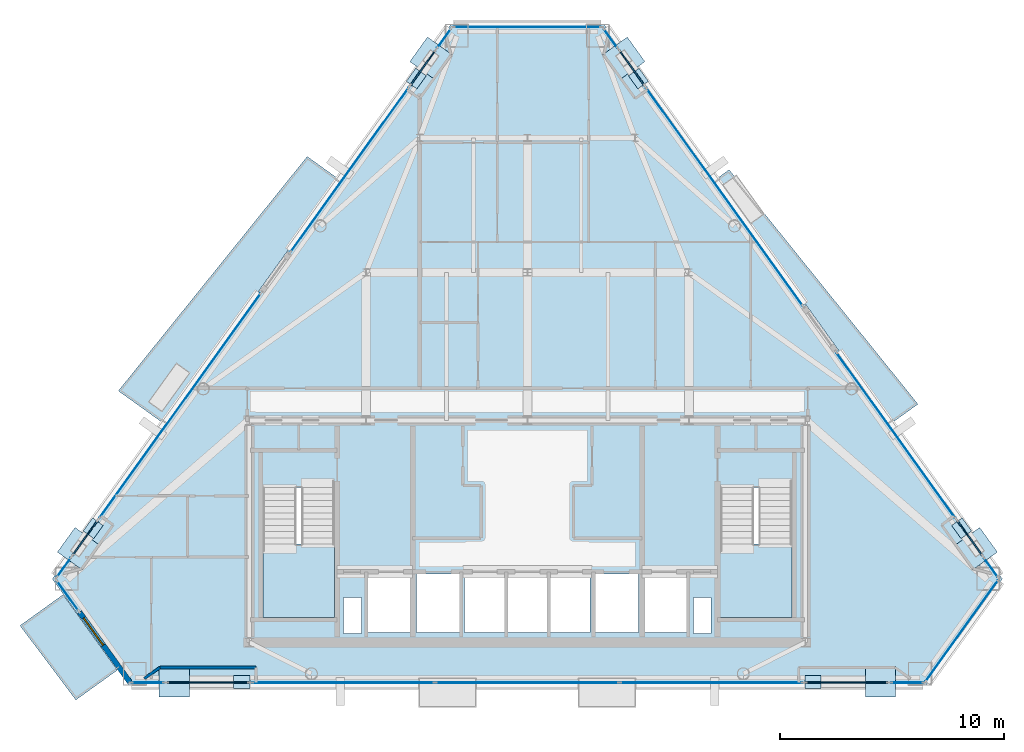
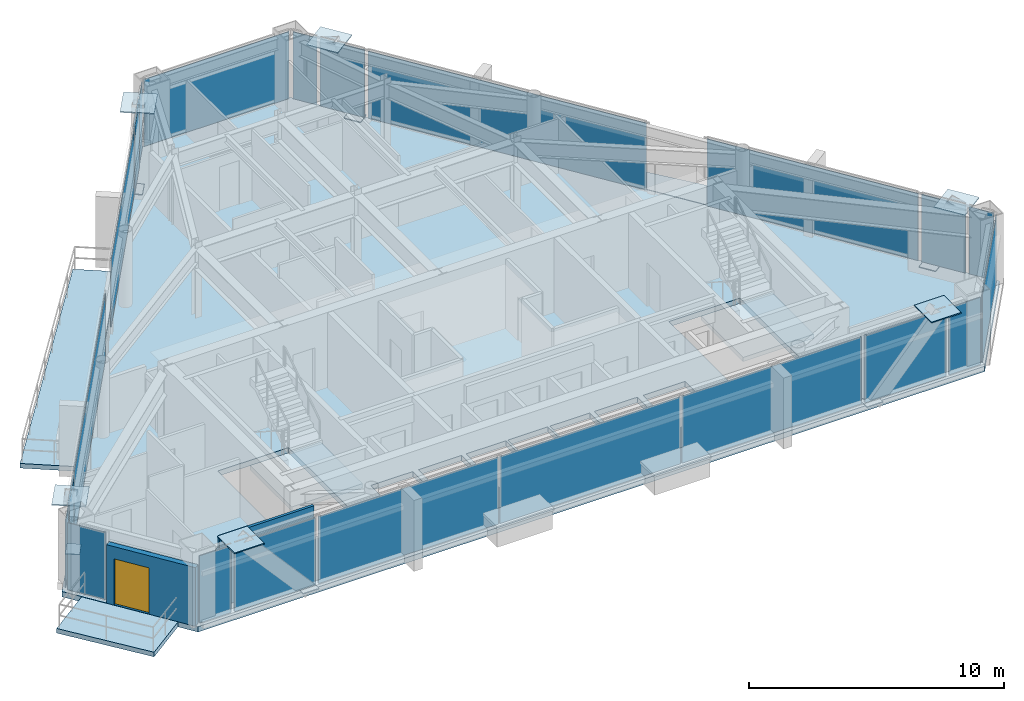
# One storey, part 6 of 11: 34 plates, 6 slabs, 3 walls, 1 door, 1 opening, 22 elements without a shape of their own.
"""IFC4 building model written with IfcOpenShell, lengths in metres."""

from ifc_helpers import new_model, si_unit, direction, frame, frame_2d, origin, origin_2d, place, context, subcontext, project, spatial, polyline, rectangle, outline, extrude, source, transform, mapped, material, layer, layer_set, type_object, type_shapes, element, fill, aggregate, save


model = new_model("IFC4")

# Units and contexts
model_context = context("Model", 3, precision=1e-05, world=origin(), true_north=direction((0.0, 1.0)))
body_context = subcontext(model_context, "Body", "Model", "MODEL_VIEW")
ifc_project = project(units=[si_unit("LENGTHUNIT", "METRE"), si_unit("AREAUNIT", "SQUARE_METRE"), si_unit("VOLUMEUNIT", "CUBIC_METRE"), si_unit("PLANEANGLEUNIT", "RADIAN"), si_unit("MASSUNIT", "GRAM", prefix="KILO")], contexts=[model_context])

# Site, building, storey
site_placement = place(None, origin())
site = spatial("IfcSite", under=ifc_project, at=site_placement, CompositionType="ELEMENT")
building_placement = place(site_placement, origin())
building = spatial("IfcBuilding", under=site, at=building_placement, Name="Talgorran Terracotta Tower", CompositionType="ELEMENT")
storey_placement = place(building_placement, frame((0.0, 0.0, 203.699951171875)))
storey = spatial("IfcBuildingStorey", under=building, at=storey_placement, Name="L53", CompositionType="ELEMENT", Elevation=203.699951171875)

# Plates
ifc_material_1 = material(Name="Steel Grade 350 (350L0)", Category="steel")
ifc_layer_1 = layer(ifc_material_1, 0.031982421875, Name="PL_CAP_MN07")
ifc_layer_set_1 = layer_set([ifc_layer_1], Name="Steel Grade 350 (350L0)")
plate_type_1 = type_object("IfcPlateType", Name="PL_CAP_MN07", PredefinedType="USERDEFINED", material=ifc_layer_set_1)
for number, where, z_axis, x_axis, name in (
    (1, (-12.740478515625, -15.856689453125, -0.005859375), (0.0, 0.0, 1.0), (-1.0, 0.0, 0.0), "L53 Diagonal Frame End Cap SWF Bot"),
    (2, (12.740478515625, -15.856689453125, -0.005859375), (0.0, 0.0, 1.0), (1.0, 0.0, 0.0), "L53 Diagonal Frame End Cap SEF Bot"),
    (3, (19.36669921875, -9.00830078125, -0.005859375), (0.0, 0.0, 1.0), (0.583541211356, -0.812083526892, 0.0), "L53 Diagonal Frame End Cap NEL Bot"),
    (4, (4.9541015625, 11.04833984375, -0.005859375), (0.0, 0.0, 1.0), (-0.583682937781, 0.811981667369, 0.0), "L53 Diagonal Frame End Cap NEU Bot"),
    (5, (-4.9541015625, 11.04833984375, -0.005859375), (0.0, 0.0, 1.0), (0.583682937781, 0.811981667369, 0.0), "L53 Diagonal Frame End Cap NWU Bot"),
    (6, (-19.36669921875, -9.00830078125, -0.005859375), (0.0, 0.0, 1.0), (-0.583682937781, -0.811981667369, 0.0), "L53 Diagonal Frame End Cap NWL Bot"),
):
    element("IfcPlate", number, at=place(storey_placement, frame(where, z_axis=z_axis, x_axis=x_axis)), inside=storey, type_object=plate_type_1, Name=name, ObjectType="CAP PLATE", PredefinedType="USERDEFINED", context=body_context, shape_type="SweptSolid", body=[
        extrude(rectangle(XDim=0.719970703125, YDim=0.580078125, at=origin_2d()), origin(), (0.0, 0.0, 1.0), 0.031982421875),
    ])
ifc_layer_2 = layer(ifc_material_1, 0.050048828125, Name="PL_NODE_MN03")
ifc_layer_set_2 = layer_set([ifc_layer_2], Name="Steel Grade 350 (350L0)")
plate_type_2 = type_object("IfcPlateType", Name="PL_NODE_MN03", PredefinedType="USERDEFINED", material=ifc_layer_set_2)
for number, where, z_axis, x_axis, name in (
    (7, (-15.748779296875, -15.856689453125, 3.31005859375), (0.0, 0.0, 1.0), (-1.0, 0.0, 0.0), "L53 Diagonal Frame End Cap SWF Top"),
    (8, (15.748779296875, -15.856689453125, 3.31005859375), (0.0, 0.0, 1.0), (1.0, 0.0, 0.0), "L53 Diagonal Frame End Cap SEF Top"),
    (9, (20.020263671875, -9.917724609375, 3.31005859375), (0.0, 0.0, 1.0), (0.583541211356, -0.812083526892, 0.0), "L53 Diagonal Frame End Cap NEL Top"),
    (10, (4.300537109375, 11.957763671875, 3.31005859375), (0.0, 0.0, 1.0), (-0.583682937781, 0.811981667369, 0.0), "L53 Diagonal Frame End Cap NEU Top"),
    (11, (-4.300537109375, 11.957763671875, 3.31005859375), (0.0, 0.0, 1.0), (0.583682937781, 0.811981667369, 0.0), "L53 Diagonal Frame End Cap NWU Top"),
    (12, (-20.020263671875, -9.917724609375, 3.31005859375), (0.0, 0.0, 1.0), (-0.583682937781, -0.811981667369, 0.0), "L53 Diagonal Frame End Cap NWL Top"),
):
    element("IfcPlate", number, at=place(storey_placement, frame(where, z_axis=z_axis, x_axis=x_axis)), inside=storey, type_object=plate_type_2, Name=name, ObjectType="NODE PLATE", PredefinedType="USERDEFINED", context=body_context, shape_type="SweptSolid", body=[
        extrude(rectangle(XDim=1.35009765625, YDim=1.35009765625, at=origin_2d()), origin(), (0.0, 0.0, 1.0), 0.050048828125),
    ])

# Slabs
ifc_material_2 = material(Name="Concrete C40/50", Category="concrete")
ifc_layer_3 = layer(ifc_material_2, 0.219970703125, Name="SL_BALCONY_220")
ifc_layer_set_3 = layer_set([ifc_layer_3], Name="Concrete C40/50")
slab_type_1 = type_object("IfcSlabType", Name="SL_BALCONY_220", PredefinedType="FLOOR", material=ifc_layer_set_3)
slab_1_placement = place(storey_placement, frame((0.0, 0.0, -0.219970703125)))
element("IfcSlab", 13, at=slab_1_placement, inside=storey, type_object=slab_type_1, Name="L53 Outdoor Wave Balcony BAL-NE", PredefinedType="FLOOR", context=body_context, shape_type="SweptSolid", body=[
    extrude(outline(polyline([(8.401123046875, 6.55126953125), (16.22314453125, -4.333740234375), (17.42041015625, -3.473388671875), (8.9970703125, 6.9794921875), (8.401123046875, 6.55126953125)])), origin(), (0.0, 0.0, 1.0), 0.219970703125),
])
slab_2_placement = place(storey_placement, frame((0.0, 0.0, -0.219970703125)))
element("IfcSlab", 14, at=slab_2_placement, inside=storey, type_object=slab_type_1, Name="L53 Outdoor Wave Balcony BAL-NW", PredefinedType="FLOOR", context=body_context, shape_type="SweptSolid", body=[
    extrude(outline(polyline([(-16.22314453125, -4.333740234375), (-8.401123046875, 6.551513671875), (-9.81884765625, 7.570068359375), (-18.2421875, -2.883056640625), (-16.22314453125, -4.333740234375)])), origin(), (0.0, 0.0, 1.0), 0.219970703125),
])
slab_3_placement = place(storey_placement, frame((0.0, 0.0, -0.219970703125)))
element("IfcSlab", 15, at=slab_3_placement, inside=storey, type_object=slab_type_1, Name="L53 Outdoor Wave Balcony BAL-SW", PredefinedType="FLOOR", context=body_context, shape_type="SweptSolid", body=[
    extrude(outline(polyline([(-18.28564453125, -15.335205078125), (-20.704833984375, -11.968505859375), (-22.629150390625, -13.351318359375), (-20.137939453125, -16.66650390625), (-18.28564453125, -15.335205078125)])), origin(), (0.0, 0.0, 1.0), 0.219970703125),
])

# Stair, slab
stair_type = type_object("IfcStairType", Name="ST_FIRE_SCISSOR", PredefinedType="HALF_TURN_STAIR", material=ifc_material_2)
stair_1_placement = place(storey_placement, origin())
stair_1 = element("IfcStair", 16, at=stair_1_placement, inside=storey, type_object=stair_type, Name="L53 West Protected Fire Stair ST-01", PredefinedType="HALF_TURN_STAIR")
ifc_layer_4 = layer(ifc_material_2, 0.199951171875, Name="SL_LANDING_200")
ifc_layer_set_4 = layer_set([ifc_layer_4], Name="Concrete C40/50")
slab_type_2 = type_object("IfcSlabType", Name="SL_LANDING_200", PredefinedType="LANDING", material=ifc_layer_set_4)
slab_4_placement = place(storey_placement, frame((0.0, 0.0, 1.60009765625)))
slab_4 = element("IfcSlab", 17, at=slab_4_placement, type_object=slab_type_2, Name="ST-01 landing 1", PredefinedType="LANDING", context=body_context, shape_type="SweptSolid", body=[
    extrude(outline(polyline([(-11.800048828125, -9.719970703125), (-11.800048828125, -13.0), (-8.60009765625, -13.0), (-8.60009765625, -9.719970703125), (-11.800048828125, -9.719970703125)])), origin(), (0.0, 0.0, 1.0), 0.199951171875),
])
aggregate(stair_1, [slab_4])

stair_2_placement = place(storey_placement, origin())
stair_2 = element("IfcStair", 18, at=stair_2_placement, inside=storey, type_object=stair_type, Name="L53 East Protected Fire Stair ST-02", PredefinedType="HALF_TURN_STAIR")
slab_5_placement = place(storey_placement, frame((0.0, 0.0, 1.60009765625)))
slab_5 = element("IfcSlab", 19, at=slab_5_placement, type_object=slab_type_2, Name="ST-02 landing 1", PredefinedType="LANDING", context=body_context, shape_type="SweptSolid", body=[
    extrude(outline(polyline([(8.60009765625, -9.719970703125), (8.60009765625, -13.0), (11.800048828125, -13.0), (11.800048828125, -9.719970703125), (8.60009765625, -9.719970703125)])), origin(), (0.0, 0.0, 1.0), 0.199951171875),
])
aggregate(stair_2, [slab_5])

# Slab
ifc_layer_5 = layer(ifc_material_2, 0.2548828125, Name="SL_TOWER_235")
ifc_layer_set_5 = layer_set([ifc_layer_5], Name="Concrete C40/50")
slab_type_3 = type_object("IfcSlabType", Name="SL_TOWER_235", PredefinedType="FLOOR", material=ifc_layer_set_5)
slab_6_placement = place(storey_placement, frame((0.0, 0.0, -0.2548828125)))
element("IfcSlab", 20, at=slab_6_placement, inside=storey, type_object=slab_type_3, Name="Storey L53 Structural Floor Slab", PredefinedType="FLOOR", context=body_context, shape_type="SweptSolid", body=[
    extrude(outline(polyline([(-21.188720703125, -11.26953125), (-17.77734375, -16.0166015625), (17.77734375, -16.0166015625), (21.188720703125, -11.26953125), (3.411376953125, 13.469482421875), (-3.411376953125, 13.469482421875), (-21.188720703125, -11.26953125)]), holes=[polyline([(-11.800048828125, -7.199951171875), (-11.800048828125, -13.0), (-8.60009765625, -13.0), (-8.60009765625, -7.199951171875), (-11.800048828125, -7.199951171875)]), polyline([(8.60009765625, -7.199951171875), (8.60009765625, -13.0), (11.800048828125, -13.0), (11.800048828125, -7.199951171875), (8.60009765625, -7.199951171875)]), polyline([(-7.10009765625, -13.64990234375), (-5.199951171875, -13.64990234375), (-5.199951171875, -11.050048828125), (-7.10009765625, -11.050048828125), (-7.10009765625, -13.64990234375)]), polyline([(5.199951171875, -13.64990234375), (7.10009765625, -13.64990234375), (7.10009765625, -11.050048828125), (5.199951171875, -11.050048828125), (5.199951171875, -13.64990234375)]), polyline([(3.0, -13.64990234375), (4.949951171875, -13.64990234375), (4.949951171875, -11.050048828125), (3.0, -11.050048828125), (3.0, -13.64990234375)]), polyline([(-4.949951171875, -13.64990234375), (-3.0, -13.64990234375), (-3.0, -11.050048828125), (-4.949951171875, -11.050048828125), (-4.949951171875, -13.64990234375)]), polyline([(-2.800048828125, -13.64990234375), (-1.0, -13.64990234375), (-1.0, -11.050048828125), (-2.800048828125, -11.050048828125), (-2.800048828125, -13.64990234375)]), polyline([(-0.89990234375, -13.64990234375), (0.89990234375, -13.64990234375), (0.89990234375, -11.050048828125), (-0.89990234375, -11.050048828125), (-0.89990234375, -13.64990234375)]), polyline([(1.0, -13.64990234375), (2.800048828125, -13.64990234375), (2.800048828125, -11.050048828125), (1.0, -11.050048828125), (1.0, -13.64990234375)]), polyline([(-8.199951171875, -13.699951171875), (-7.39990234375, -13.699951171875), (-7.39990234375, -12.10009765625), (-8.199951171875, -12.10009765625), (-8.199951171875, -13.699951171875)]), polyline([(7.39990234375, -13.699951171875), (8.199951171875, -13.699951171875), (8.199951171875, -12.10009765625), (7.39990234375, -12.10009765625), (7.39990234375, -13.699951171875)])]), origin(), (0.0, 0.0, 1.0), 0.2548828125),
])

# Curtain wall, plate
ifc_material_3 = material(Name="High-Wind Unitised Glazing", Category="glass")
ifc_layer_6 = layer(ifc_material_3, 0.2099609375, Name="CW_SYS3_RES_HIGH")
ifc_layer_set_6 = layer_set([ifc_layer_6], Name="High-Wind Unitised Glazing")
curtain_wall_type = type_object("IfcCurtainWallType", Name="CW_SYS3_RES_HIGH", PredefinedType="NOTDEFINED", material=ifc_layer_set_6)
curtain_wall_1_placement = place(storey_placement, origin())
curtain_wall_1 = element("IfcCurtainWall", 21, at=curtain_wall_1_placement, inside=storey, type_object=curtain_wall_type, Name="CW-L53-F10", PredefinedType="NOTDEFINED")
ifc_material_4 = material(Name="High-Wind Acoustic Vision Glass", Category="glass")
ifc_layer_7 = layer(ifc_material_4, 0.031982421875, Name="PLT_VISION_32")
ifc_layer_set_7 = layer_set([ifc_layer_7], Name="High-Wind Acoustic Vision Glass")
plate_type_3 = type_object("IfcPlateType", Name="PLT_VISION_32", PredefinedType="CURTAIN_PANEL", material=ifc_layer_set_7)
shared_shape_1 = source(origin(), body_context, "Body", "SweptSolid", [
    extrude(rectangle(XDim=1.634765625, YDim=0.031982421875, at=origin_2d()), origin(), (0.0, 0.0, 1.0), 3.205078125),
])
plate_1_placement = place(storey_placement, frame((-20.499755859375, -12.022705078125, 0.070068359375), z_axis=(0.0, 0.0, 1.0), x_axis=(0.583548971876, -0.812077950336, 0.0)))
plate_1 = element("IfcPlate", 22, at=plate_1_placement, type_object=plate_type_3, Name="CW-L53-10 panel 1.1", PredefinedType="CURTAIN_PANEL", context=body_context, shape_type="MappedRepresentation", body=[
    mapped(shared_shape_1, transform((0.0, 0.0, 0.0), scale=1.0)),
])
aggregate(curtain_wall_1, [plate_1])

curtain_wall_2_placement = place(storey_placement, origin())
curtain_wall_2 = element("IfcCurtainWall", 23, at=curtain_wall_2_placement, inside=storey, type_object=curtain_wall_type, Name="CW-L53-F1", PredefinedType="NOTDEFINED")
shared_shape_2 = source(origin(), body_context, "Body", "SweptSolid", [
    extrude(rectangle(XDim=1.425048828125, YDim=0.031982421875, at=origin_2d()), origin(), (0.0, 0.0, 1.0), 3.205078125),
])
plate_2_placement = place(storey_placement, frame((-16.933349609375, -15.896728515625, 0.070068359375), z_axis=(0.0, 0.0, 1.0), x_axis=(1.0, 0.0, 0.0)))
plate_2 = element("IfcPlate", 24, at=plate_2_placement, type_object=plate_type_3, Name="CW-L53-1 panel 1.1", PredefinedType="CURTAIN_PANEL", context=body_context, shape_type="MappedRepresentation", body=[
    mapped(shared_shape_2, transform((0.0, 0.0, 0.0), scale=1.0)),
])
aggregate(curtain_wall_2, [plate_2])

curtain_wall_3_placement = place(storey_placement, origin())
curtain_wall_3 = element("IfcCurtainWall", 25, at=curtain_wall_3_placement, inside=storey, type_object=curtain_wall_type, Name="CW-L53-F1E", PredefinedType="NOTDEFINED")
plate_3_placement = place(storey_placement, frame((16.933349609375, -15.896728515625, 0.070068359375), z_axis=(0.0, 0.0, 1.0), x_axis=(1.0, 0.0, 0.0)))
plate_3 = element("IfcPlate", 26, at=plate_3_placement, type_object=plate_type_3, Name="CW-L53-1E panel 1.1", PredefinedType="CURTAIN_PANEL", context=body_context, shape_type="MappedRepresentation", body=[
    mapped(shared_shape_2, transform((0.0, 0.0, 0.0), scale=1.0)),
])
aggregate(curtain_wall_3, [plate_3])

curtain_wall_4_placement = place(storey_placement, origin())
curtain_wall_4 = element("IfcCurtainWall", 27, at=curtain_wall_4_placement, inside=storey, type_object=curtain_wall_type, Name="CW-L53-F1B", PredefinedType="NOTDEFINED")
ifc_material_5 = material(Name="Terracotta Insulated Spandrel", Category="masonry")
ifc_layer_8 = layer(ifc_material_5, 0.06494140625, Name="PLT_SPANDREL_TERRA")
ifc_layer_set_8 = layer_set([ifc_layer_8], Name="Terracotta Insulated Spandrel")
plate_type_4 = type_object("IfcPlateType", Name="PLT_SPANDREL_TERRA", PredefinedType="SHEET", material=ifc_layer_set_8)
shared_shape_3 = source(origin(), body_context, "Body", "SweptSolid", [
    extrude(rectangle(XDim=3.652099609375, YDim=0.06494140625, at=origin_2d()), origin(), (0.0, 0.0, 1.0), 3.205078125),
])
plate_4_placement = place(storey_placement, frame((-14.24462890625, -15.896728515625, 0.070068359375), z_axis=(0.0, 0.0, 1.0), x_axis=(1.0, 0.0, 0.0)))
plate_4 = element("IfcPlate", 28, at=plate_4_placement, type_object=plate_type_4, Name="CW-L53-1B panel 1.1", PredefinedType="CURTAIN_PANEL", context=body_context, shape_type="MappedRepresentation", body=[
    mapped(shared_shape_3, transform((0.0, 0.0, 0.0), scale=1.0)),
])
aggregate(curtain_wall_4, [plate_4])

curtain_wall_5_placement = place(storey_placement, origin())
curtain_wall_5 = element("IfcCurtainWall", 29, at=curtain_wall_5_placement, inside=storey, type_object=curtain_wall_type, Name="CW-L53-F1D", PredefinedType="NOTDEFINED")
plate_5_placement = place(storey_placement, frame((14.24462890625, -15.896728515625, 0.070068359375), z_axis=(0.0, 0.0, 1.0), x_axis=(1.0, 0.0, 0.0)))
plate_5 = element("IfcPlate", 30, at=plate_5_placement, type_object=plate_type_4, Name="CW-L53-1D panel 1.1", PredefinedType="CURTAIN_PANEL", context=body_context, shape_type="MappedRepresentation", body=[
    mapped(shared_shape_3, transform((0.0, 0.0, 0.0), scale=1.0)),
])
aggregate(curtain_wall_5, [plate_5])

# Curtain wall, plates
curtain_wall_6_placement = place(storey_placement, origin())
curtain_wall_6 = element("IfcCurtainWall", 31, at=curtain_wall_6_placement, inside=storey, type_object=curtain_wall_type, Name="CW-L53-F1C", PredefinedType="NOTDEFINED")
shared_shape_4 = source(origin(), body_context, "Body", "SweptSolid", [
    extrude(rectangle(XDim=8.120849609375, YDim=0.031982421875, at=origin_2d()), origin(), (0.0, 0.0, 1.0), 3.205078125),
])
plate_6_placement = place(storey_placement, frame((-8.208251953125, -15.896728515625, 0.070068359375), z_axis=(0.0, 0.0, 1.0), x_axis=(1.0, 0.0, 0.0)))
plate_6 = element("IfcPlate", 32, at=plate_6_placement, type_object=plate_type_3, Name="CW-L53-1C panel 1.1", PredefinedType="CURTAIN_PANEL", context=body_context, shape_type="MappedRepresentation", body=[
    mapped(shared_shape_4, transform((0.0, 0.0, 0.0), scale=1.0)),
])
plate_7_placement = place(storey_placement, frame((8.208251953125, -15.896728515625, 0.070068359375), z_axis=(0.0, 0.0, 1.0), x_axis=(1.0, 0.0, 0.0)))
plate_7 = element("IfcPlate", 33, at=plate_7_placement, type_object=plate_type_3, Name="CW-L53-1C panel 3.1", PredefinedType="CURTAIN_PANEL", context=body_context, shape_type="MappedRepresentation", body=[
    mapped(shared_shape_4, transform((0.0, 0.0, 0.0), scale=1.0)),
])
shared_shape_5 = source(origin(), body_context, "Body", "SweptSolid", [
    extrude(rectangle(XDim=8.15576171875, YDim=0.031982421875, at=origin_2d()), origin(), (0.0, 0.0, 1.0), 3.205078125),
])
plate_8_placement = place(storey_placement, frame((0.0, -15.896728515625, 0.070068359375), z_axis=(0.0, 0.0, 1.0), x_axis=(1.0, 0.0, 0.0)))
plate_8 = element("IfcPlate", 34, at=plate_8_placement, type_object=plate_type_3, Name="CW-L53-1C panel 2.1", PredefinedType="CURTAIN_PANEL", context=body_context, shape_type="MappedRepresentation", body=[
    mapped(shared_shape_5, transform((0.0, 0.0, 0.0), scale=1.0)),
])
aggregate(curtain_wall_6, [plate_6, plate_8, plate_7])

# Curtain wall, plate
curtain_wall_7_placement = place(storey_placement, origin())
curtain_wall_7 = element("IfcCurtainWall", 35, at=curtain_wall_7_placement, inside=storey, type_object=curtain_wall_type, Name="CW-L53-F2", PredefinedType="NOTDEFINED")
shared_shape_6 = source(origin(), body_context, "Body", "SweptSolid", [
    extrude(rectangle(XDim=5.557861328125, YDim=0.031982421875, at=origin_2d()), origin(), (0.0, 0.0, 1.0), 3.205078125),
])
plate_9_placement = place(storey_placement, frame((19.37841796875, -13.583251953125, 0.070068359375), z_axis=(0.0, 0.0, 1.0), x_axis=(0.58355178486, 0.812075928954, 0.0)))
plate_9 = element("IfcPlate", 36, at=plate_9_placement, type_object=plate_type_3, Name="CW-L53-2 panel 1.1", PredefinedType="CURTAIN_PANEL", context=body_context, shape_type="MappedRepresentation", body=[
    mapped(shared_shape_6, transform((0.0, 0.0, 0.0), scale=1.0)),
])
aggregate(curtain_wall_7, [plate_9])

curtain_wall_8_placement = place(storey_placement, origin())
curtain_wall_8 = element("IfcCurtainWall", 37, at=curtain_wall_8_placement, inside=storey, type_object=curtain_wall_type, Name="CW-L53-F40", PredefinedType="NOTDEFINED")
shared_shape_7 = source(origin(), body_context, "Body", "SweptSolid", [
    extrude(rectangle(XDim=1.044921875, YDim=0.031982421875, at=origin_2d()), origin(), (0.0, 0.0, 1.0), 3.205078125),
])
plate_10_placement = place(storey_placement, frame((20.671875, -10.755859375, 0.070068359375), z_axis=(0.0, 0.0, 1.0), x_axis=(-0.583550840713, 0.81207660741, 0.0)))
plate_10 = element("IfcPlate", 38, at=plate_10_placement, type_object=plate_type_3, Name="CW-L53-40 panel 1.1", PredefinedType="CURTAIN_PANEL", context=body_context, shape_type="MappedRepresentation", body=[
    mapped(shared_shape_7, transform((0.0, 0.0, 0.0), scale=1.0)),
])
aggregate(curtain_wall_8, [plate_10])

curtain_wall_9_placement = place(storey_placement, origin())
curtain_wall_9 = element("IfcCurtainWall", 39, at=curtain_wall_9_placement, inside=storey, type_object=curtain_wall_type, Name="CW-L53-F61C", PredefinedType="NOTDEFINED")
plate_11_placement = place(storey_placement, frame((-20.671875, -10.755859375, 0.070068359375), z_axis=(0.0, 0.0, 1.0), x_axis=(-0.583550840713, -0.81207660741, 0.0)))
plate_11 = element("IfcPlate", 40, at=plate_11_placement, type_object=plate_type_3, Name="CW-L53-61C panel 1.1", PredefinedType="CURTAIN_PANEL", context=body_context, shape_type="MappedRepresentation", body=[
    mapped(shared_shape_7, transform((0.0, 0.0, 0.0), scale=1.0)),
])
aggregate(curtain_wall_9, [plate_11])

curtain_wall_10_placement = place(storey_placement, origin())
curtain_wall_10 = element("IfcCurtainWall", 41, at=curtain_wall_10_placement, inside=storey, type_object=curtain_wall_type, Name="CW-L53-F40B", PredefinedType="NOTDEFINED")
shared_shape_8 = source(origin(), body_context, "Body", "SweptSolid", [
    extrude(rectangle(XDim=1.896728515625, YDim=0.06494140625, at=origin_2d()), origin(), (0.0, 0.0, 1.0), 3.205078125),
])
type_shapes(plate_type_4, [shared_shape_3, shared_shape_8])
plate_12_placement = place(storey_placement, frame((19.725830078125, -9.439697265625, 0.070068359375), z_axis=(0.0, 0.0, 1.0), x_axis=(-0.583558142462, 0.81207136039, 0.0)))
plate_12 = element("IfcPlate", 42, at=plate_12_placement, type_object=plate_type_4, Name="CW-L53-40B panel 1.1", PredefinedType="CURTAIN_PANEL", context=body_context, shape_type="MappedRepresentation", body=[
    mapped(shared_shape_8, transform((0.0, 0.0, 0.0), scale=1.0)),
])
aggregate(curtain_wall_10, [plate_12])

curtain_wall_11_placement = place(storey_placement, origin())
curtain_wall_11 = element("IfcCurtainWall", 43, at=curtain_wall_11_placement, inside=storey, type_object=curtain_wall_type, Name="CW-L53-F41B", PredefinedType="NOTDEFINED")
plate_13_placement = place(storey_placement, frame((4.659912109375, 11.5263671875, 0.070068359375), z_axis=(0.0, 0.0, 1.0), x_axis=(-0.583567253318, 0.81206481321, 0.0)))
plate_13 = element("IfcPlate", 44, at=plate_13_placement, type_object=plate_type_4, Name="CW-L53-41B panel 1.1", PredefinedType="CURTAIN_PANEL", context=body_context, shape_type="MappedRepresentation", body=[
    mapped(shared_shape_8, transform((0.0, 0.0, 0.0), scale=1.0)),
])
aggregate(curtain_wall_11, [plate_13])

curtain_wall_12_placement = place(storey_placement, origin())
curtain_wall_12 = element("IfcCurtainWall", 45, at=curtain_wall_12_placement, inside=storey, type_object=curtain_wall_type, Name="CW-L53-F60B", PredefinedType="NOTDEFINED")
plate_14_placement = place(storey_placement, frame((-4.659912109375, 11.5263671875, 0.070068359375), z_axis=(0.0, 0.0, 1.0), x_axis=(-0.583567253318, -0.81206481321, 0.0)))
plate_14 = element("IfcPlate", 46, at=plate_14_placement, type_object=plate_type_4, Name="CW-L53-60B panel 1.1", PredefinedType="CURTAIN_PANEL", context=body_context, shape_type="MappedRepresentation", body=[
    mapped(shared_shape_8, transform((0.0, 0.0, 0.0), scale=1.0)),
])
aggregate(curtain_wall_12, [plate_14])

curtain_wall_13_placement = place(storey_placement, origin())
curtain_wall_13 = element("IfcCurtainWall", 47, at=curtain_wall_13_placement, inside=storey, type_object=curtain_wall_type, Name="CW-L53-F61B", PredefinedType="NOTDEFINED")
plate_15_placement = place(storey_placement, frame((-19.725830078125, -9.439697265625, 0.070068359375), z_axis=(0.0, 0.0, 1.0), x_axis=(-0.583534874934, -0.812088080036, 0.0)))
plate_15 = element("IfcPlate", 48, at=plate_15_placement, type_object=plate_type_4, Name="CW-L53-61B panel 1.1", PredefinedType="CURTAIN_PANEL", context=body_context, shape_type="MappedRepresentation", body=[
    mapped(shared_shape_8, transform((0.0, 0.0, 0.0), scale=1.0)),
])
aggregate(curtain_wall_13, [plate_15])

curtain_wall_14_placement = place(storey_placement, origin())
curtain_wall_14 = element("IfcCurtainWall", 49, at=curtain_wall_14_placement, inside=storey, type_object=curtain_wall_type, Name="CW-L53-F40C", PredefinedType="NOTDEFINED")
shared_shape_9 = source(origin(), body_context, "Body", "SweptSolid", [
    extrude(rectangle(XDim=9.06689453125, YDim=0.031982421875, at=origin_2d()), origin(), (0.0, 0.0, 1.0), 3.205078125),
])
plate_16_placement = place(storey_placement, frame((16.439453125, -4.8662109375, 0.070068359375), z_axis=(0.0, 0.0, 1.0), x_axis=(-0.583551671402, 0.812076010484, 0.0)))
plate_16 = element("IfcPlate", 50, at=plate_16_placement, type_object=plate_type_3, Name="CW-L53-40C panel 1.1", PredefinedType="CURTAIN_PANEL", context=body_context, shape_type="MappedRepresentation", body=[
    mapped(shared_shape_9, transform((0.0, 0.0, 0.0), scale=1.0)),
])
aggregate(curtain_wall_14, [plate_16])

curtain_wall_15_placement = place(storey_placement, origin())
curtain_wall_15 = element("IfcCurtainWall", 51, at=curtain_wall_15_placement, inside=storey, type_object=curtain_wall_type, Name="CW-L53-F41", PredefinedType="NOTDEFINED")
shared_shape_10 = source(origin(), body_context, "Body", "SweptSolid", [
    extrude(rectangle(XDim=11.9541015625, YDim=0.031982421875, at=origin_2d()), origin(), (0.0, 0.0, 1.0), 3.205078125),
])
plate_17_placement = place(storey_placement, frame((8.788818359375, 5.780517578125, 0.070068359375), z_axis=(0.0, 0.0, 1.0), x_axis=(-0.583552562172, 0.812075370383, 0.0)))
plate_17 = element("IfcPlate", 52, at=plate_17_placement, type_object=plate_type_3, Name="CW-L53-41 panel 1.1", PredefinedType="CURTAIN_PANEL", context=body_context, shape_type="MappedRepresentation", body=[
    mapped(shared_shape_10, transform((0.0, 0.0, 0.0), scale=1.0)),
])
aggregate(curtain_wall_15, [plate_17])

curtain_wall_16_placement = place(storey_placement, origin())
curtain_wall_16 = element("IfcCurtainWall", 53, at=curtain_wall_16_placement, inside=storey, type_object=curtain_wall_type, Name="CW-L53-F41C", PredefinedType="NOTDEFINED")
shared_shape_11 = source(origin(), body_context, "Body", "SweptSolid", [
    extrude(rectangle(XDim=1.036865234375, YDim=0.031982421875, at=origin_2d()), origin(), (0.0, 0.0, 1.0), 3.205078125),
])
plate_18_placement = place(storey_placement, frame((3.716552734375, 12.83935546875, 0.070068359375), z_axis=(0.0, 0.0, 1.0), x_axis=(-0.583558999735, 0.812070744349, 0.0)))
plate_18 = element("IfcPlate", 54, at=plate_18_placement, type_object=plate_type_3, Name="CW-L53-41C panel 1.1", PredefinedType="CURTAIN_PANEL", context=body_context, shape_type="MappedRepresentation", body=[
    mapped(shared_shape_11, transform((0.0, 0.0, 0.0), scale=1.0)),
])
aggregate(curtain_wall_16, [plate_18])

curtain_wall_17_placement = place(storey_placement, origin())
curtain_wall_17 = element("IfcCurtainWall", 55, at=curtain_wall_17_placement, inside=storey, type_object=curtain_wall_type, Name="CW-L53-F60", PredefinedType="NOTDEFINED")
plate_19_placement = place(storey_placement, frame((-3.716552734375, 12.83935546875, 0.070068359375), z_axis=(0.0, 0.0, 1.0), x_axis=(-0.583558999735, -0.812070744349, 0.0)))
plate_19 = element("IfcPlate", 56, at=plate_19_placement, type_object=plate_type_3, Name="CW-L53-60 panel 1.1", PredefinedType="CURTAIN_PANEL", context=body_context, shape_type="MappedRepresentation", body=[
    mapped(shared_shape_11, transform((0.0, 0.0, 0.0), scale=1.0)),
])
aggregate(curtain_wall_17, [plate_19])

curtain_wall_18_placement = place(storey_placement, origin())
curtain_wall_18 = element("IfcCurtainWall", 57, at=curtain_wall_18_placement, inside=storey, type_object=curtain_wall_type, Name="CW-L53-F4", PredefinedType="NOTDEFINED")
shared_shape_12 = source(origin(), body_context, "Body", "SweptSolid", [
    extrude(rectangle(XDim=6.5595703125, YDim=0.031982421875, at=origin_2d()), origin(), (0.0, 0.0, 1.0), 3.205078125),
])
plate_20_placement = place(storey_placement, frame((0.0, 13.349609375, 0.070068359375), z_axis=(0.0, 0.0, 1.0), x_axis=(-1.0, 0.0, 0.0)))
plate_20 = element("IfcPlate", 58, at=plate_20_placement, type_object=plate_type_3, Name="CW-L53-4 panel 1.1", PredefinedType="CURTAIN_PANEL", context=body_context, shape_type="MappedRepresentation", body=[
    mapped(shared_shape_12, transform((0.0, 0.0, 0.0), scale=1.0)),
])
aggregate(curtain_wall_18, [plate_20])

curtain_wall_19_placement = place(storey_placement, origin())
curtain_wall_19 = element("IfcCurtainWall", 59, at=curtain_wall_19_placement, inside=storey, type_object=curtain_wall_type, Name="CW-L53-F60C", PredefinedType="NOTDEFINED")
shared_shape_13 = source(origin(), body_context, "Body", "SweptSolid", [
    extrude(rectangle(XDim=9.00244140625, YDim=0.031982421875, at=origin_2d()), origin(), (0.0, 0.0, 1.0), 3.205078125),
])
plate_21_placement = place(storey_placement, frame((-7.927490234375, 6.97900390625, 0.070068359375), z_axis=(0.0, 0.0, 1.0), x_axis=(-0.583557613882, -0.81207174023, 0.0)))
plate_21 = element("IfcPlate", 60, at=plate_21_placement, type_object=plate_type_3, Name="CW-L53-60C panel 1.1", PredefinedType="CURTAIN_PANEL", context=body_context, shape_type="MappedRepresentation", body=[
    mapped(shared_shape_13, transform((0.0, 0.0, 0.0), scale=1.0)),
])
aggregate(curtain_wall_19, [plate_21])

curtain_wall_20_placement = place(storey_placement, origin())
curtain_wall_20 = element("IfcCurtainWall", 61, at=curtain_wall_20_placement, inside=storey, type_object=curtain_wall_type, Name="CW-L53-F61", PredefinedType="NOTDEFINED")
shared_shape_14 = source(origin(), body_context, "Body", "SweptSolid", [
    extrude(rectangle(XDim=12.318603515625, YDim=0.031982421875, at=origin_2d()), origin(), (0.0, 0.0, 1.0), 3.205078125),
])
type_shapes(plate_type_3, [shared_shape_1, shared_shape_2, shared_shape_4, shared_shape_5, shared_shape_6, shared_shape_7, shared_shape_9, shared_shape_10, shared_shape_11, shared_shape_12, shared_shape_13, shared_shape_14])
plate_22_placement = place(storey_placement, frame((-15.49072265625, -3.5458984375, 0.070068359375), z_axis=(0.0, 0.0, 1.0), x_axis=(-0.58355235833, -0.812075516863, 0.0)))
plate_22 = element("IfcPlate", 62, at=plate_22_placement, type_object=plate_type_3, Name="CW-L53-61 panel 1.1", PredefinedType="CURTAIN_PANEL", context=body_context, shape_type="MappedRepresentation", body=[
    mapped(shared_shape_14, transform((0.0, 0.0, 0.0), scale=1.0)),
])
aggregate(curtain_wall_20, [plate_22])

# Wall, opening, door
ifc_layer_9 = layer(ifc_material_2, 0.239990234375, Name="WT_BALCONY_SPAND")
ifc_layer_set_9 = layer_set([ifc_layer_9], Name="Concrete C40/50")
wall_type_1 = type_object("IfcWallType", Name="WT_BALCONY_SPAND", PredefinedType="STANDARD", material=ifc_layer_set_9)
wall_1_placement = place(storey_placement, frame((-19.97607421875, -12.75146484375, -0.014892578125), z_axis=(0.0, 0.0, 1.0), x_axis=(0.5835494265, -0.812077623649, 0.0)))
wall_1 = element("IfcWall", 63, at=wall_1_placement, inside=storey, type_object=wall_type_1, Name="WL-L53-BALP-BAL-SW", PredefinedType="STANDARD", context=body_context, shape_type="SweptSolid", body=[
    extrude(rectangle(XDim=3.8330078125, YDim=0.239990234375, at=frame_2d((1.91650390625, 0.0))), origin(), (0.0, 0.0, 1.0), 2.802001953125),
])
opening_placement = place(wall_1_placement, frame((0.320068359375, 0.0, 0.014892578125)))
opening = element("IfcOpeningElement", 64, at=opening_placement, cuts=wall_1, Name="Opening D-BAL-L53-3", PredefinedType="OPENING", context=body_context, shape_type="SweptSolid", body=[
    extrude(rectangle(XDim=1.506, YDim=2.203951171875, at=frame_2d((0.75, 1.10205078125))), frame((0.0, 0.1298828125, 0.0), z_axis=(0.0, -1.0, 0.0), x_axis=(1.0, 0.0, 0.0)), (0.0, 0.0, 1.0), 0.260009765625),
])
ifc_material_6 = material(Name="Thermally Broken Aluminium", Category="aluminium")
door_type = type_object("IfcDoorType", Name="DT_BALC_1500", OperationType="SLIDING_TO_RIGHT", PredefinedType="DOOR", material=ifc_material_6)
door_placement = place(opening_placement, origin())
door = element("IfcDoor", 65, at=door_placement, inside=storey, type_object=door_type, Name="DR-L53-BAL-BAL-SW", OperationType="SLIDING_TO_RIGHT", OverallHeight=2.199951171875, OverallWidth=1.5, PredefinedType="DOOR", context=body_context, shape_type="SweptSolid", body=[
    extrude(rectangle(XDim=1.5, YDim=2.199951171875, at=frame_2d((0.75, 1.10009765625))), frame((0.0, 0.02490234375, 0.0), z_axis=(0.0, -1.0, 0.0), x_axis=(1.0, 0.0, 0.0)), (0.0, 0.0, 1.0), 0.050048828125),
])
fill(opening, door)

# Walls
ifc_material_7 = material(Name="Insulated Steel Stud Plasterboard", Category="steel")
ifc_layer_10 = layer(ifc_material_7, 0.1201171875, Name="WT_PART_120")
ifc_layer_set_10 = layer_set([ifc_layer_10], Name="Insulated Steel Stud Plasterboard")
wall_type_2 = type_object("IfcWallType", Name="WT_PART_120", PredefinedType="PARTITIONING", material=ifc_layer_set_10)
wall_2_placement = place(storey_placement, frame((-16.388916015625, -15.216796875, 0.0), z_axis=(0.0, 0.0, 1.0), x_axis=(1.0, 0.0, 0.0)))
element("IfcWall", 66, at=wall_2_placement, inside=storey, type_object=wall_type_2, Name="WL-L53-BW-L53-01", PredefinedType="PARTITIONING", context=body_context, shape_type="SweptSolid", body=[
    extrude(rectangle(XDim=4.288330078125, YDim=0.1201171875, at=frame_2d((2.14404296875, 0.0))), origin(), (0.0, 0.0, 1.0), 3.344970703125),
])
wall_3_placement = place(storey_placement, frame((-17.084716796875, -15.7119140625, 0.0), z_axis=(0.0, 0.0, 1.0), x_axis=(0.814775258606, 0.579776920861, 0.0)))
element("IfcWall", 67, at=wall_3_placement, inside=storey, type_object=wall_type_2, Name="WL-L53-BW-L53-03", PredefinedType="PARTITIONING", context=body_context, shape_type="SweptSolid", body=[
    extrude(rectangle(XDim=0.85400390625, YDim=0.1201171875, at=frame_2d((0.427001953125, 0.0))), origin(), (0.0, 0.0, 1.0), 2.787109375),
])

save(model, "model.ifc")
